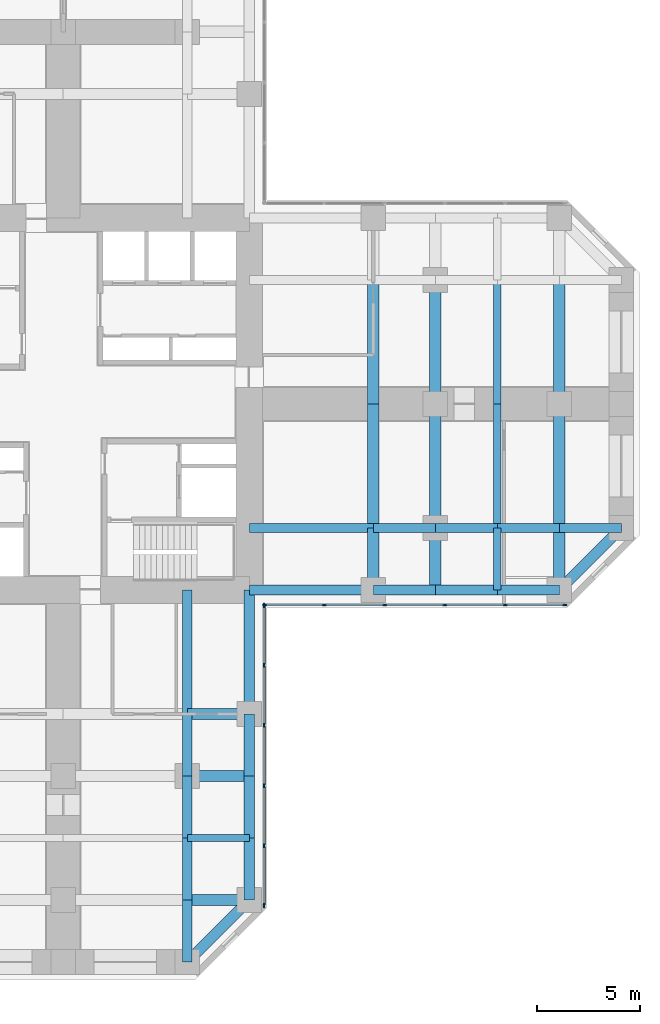
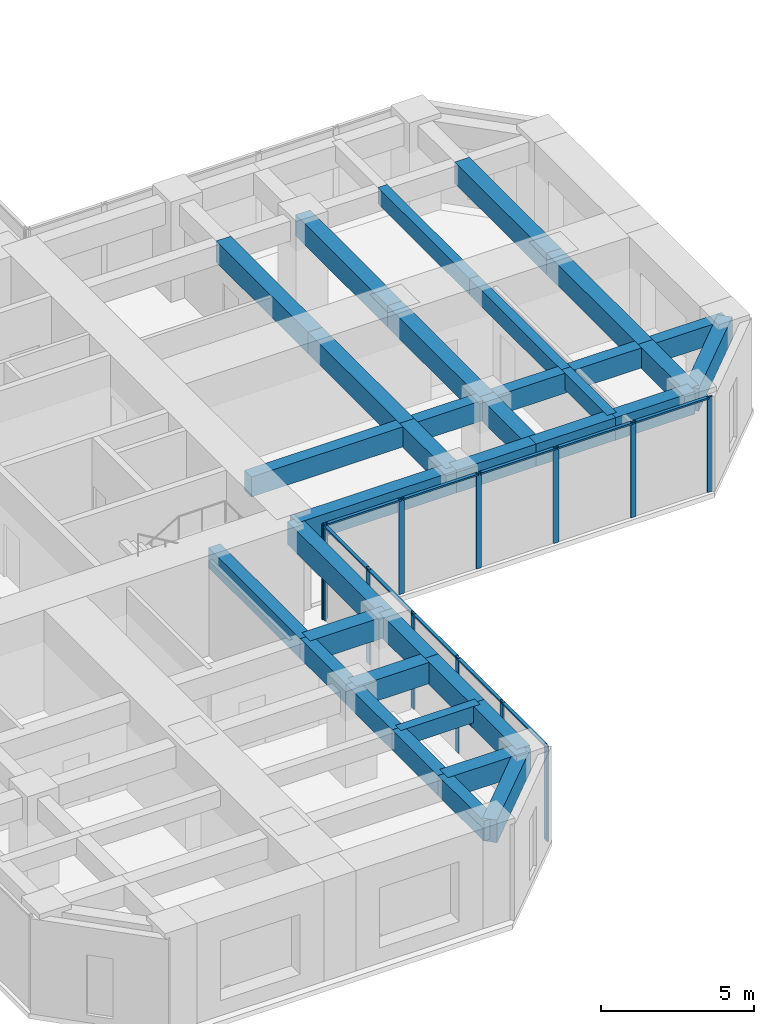
# One storey, part 4 of 12: 36 beams, 22 members, 2 elements without a shape of their own.
"""IFC4 building model written with IfcOpenShell, lengths in metres."""

from ifc_helpers import new_model, si_unit, direction, frame, origin, origin_2d, place, context, subcontext, project, spatial, rectangle, extrude, material, material_profile, profile_set, type_object, element, aggregate, save


model = new_model("IFC4")

# Units and contexts
model_context = context("Model", 3, precision=1e-05, world=origin(), true_north=direction((0.0, 1.0)))
body_context = subcontext(model_context, "Body", "Model", "MODEL_VIEW")
ifc_project = project(units=[si_unit("LENGTHUNIT", "METRE"), si_unit("AREAUNIT", "SQUARE_METRE"), si_unit("VOLUMEUNIT", "CUBIC_METRE"), si_unit("PLANEANGLEUNIT", "RADIAN"), si_unit("MASSUNIT", "GRAM", prefix="KILO")], contexts=[model_context])

# Site, building, storey
site_placement = place(None, origin())
site = spatial("IfcSite", under=ifc_project, at=site_placement, CompositionType="ELEMENT")
building_placement = place(site_placement, origin())
building = spatial("IfcBuilding", under=site, at=building_placement, Name="Torre Cruceta", CompositionType="ELEMENT")
storey_placement = place(building_placement, frame((0.0, 0.0, 35.5)))
storey = spatial("IfcBuildingStorey", under=building, at=storey_placement, Name="L08", CompositionType="ELEMENT", Elevation=35.5)

# Beams
ifc_material_1 = material(Name="Concrete G60 (fck 60 MPa)", Category="concrete")
ifc_material_profile_1 = material_profile(ifc_material_1, rectangle(XDim=0.449951171875, YDim=0.800048828125, at=origin_2d()), Name="RC 450X800")
ifc_profile_set_1 = profile_set([ifc_material_profile_1], Name="Concrete G60 (fck 60 MPa)")
beam_type_1 = type_object("IfcBeamType", Name="COLUMN LINE BEAM RC 450X800", PredefinedType="BEAM", material=ifc_profile_set_1)
beam_1_placement = place(storey_placement, frame((9.0, -6.0, 3.39990234375), z_axis=(1.0, 0.0, 0.0), x_axis=(0.0, 1.0, 0.0)))
element("IfcBeam", 1, at=beam_1_placement, inside=storey, type_object=beam_type_1, Name="LB1 L08 E col- 1", PredefinedType="BEAM", context=body_context, shape_type="SweptSolid", body=[
    extrude(rectangle(XDim=0.449951171875, YDim=0.800048828125, at=origin_2d()), origin(), (0.0, 0.0, 1.0), 6.0),
])
for number, where, z_axis, x_axis, name in (
    (2, (15.0, -6.0, 3.39990234375), (1.0, 0.0, 0.0), (0.0, 1.0, 0.0), "LB1 L08 E col- 2"),
    (3, (18.0, -6.0, 3.39990234375), (1.0, 0.0, 0.0), (0.0, 1.0, 0.0), "LB1 L08 E col- 3"),
    (4, (21.0, -6.0, 3.39990234375), (1.0, 0.0, 0.0), (0.0, 1.0, 0.0), "LB1 L08 E col- 4"),
    (5, (24.0, -6.0, 3.39990234375), (1.0, 0.0, 0.0), (0.0, 1.0, 0.0), "LB1 L08 E col- 5"),
):
    element("IfcBeam", number, at=place(storey_placement, frame(where, z_axis=z_axis, x_axis=x_axis)), inside=storey, type_object=beam_type_1, Name=name, PredefinedType="BEAM", context=body_context, shape_type="SweptSolid", body=[
        extrude(rectangle(XDim=0.449951171875, YDim=0.800048828125, at=origin_2d()), origin(), (0.0, 0.0, 1.0), 3.0),
    ])
beam_2_placement = place(storey_placement, frame((6.0, -9.0, 3.39990234375), z_axis=(0.0, -1.0, 0.0), x_axis=(1.0, 0.0, 0.0)))
element("IfcBeam", 6, at=beam_2_placement, inside=storey, type_object=beam_type_1, Name="LB1 L08 S col+ 1", PredefinedType="BEAM", context=body_context, shape_type="SweptSolid", body=[
    extrude(rectangle(XDim=0.449951171875, YDim=0.800048828125, at=origin_2d()), origin(), (0.0, 0.0, 1.0), 6.0),
])
for number, where, z_axis, x_axis, name in (
    (7, (6.0, -15.0, 3.39990234375), (0.0, -1.0, 0.0), (1.0, 0.0, 0.0), "LB1 L08 S col+ 2"),
    (8, (6.0, -18.0, 3.39990234375), (0.0, -1.0, 0.0), (1.0, 0.0, 0.0), "LB1 L08 S col+ 3"),
    (9, (6.0, -21.0, 3.39990234375), (0.0, -1.0, 0.0), (1.0, 0.0, 0.0), "LB1 L08 S col+ 4"),
    (10, (6.0, -24.0, 3.39990234375), (0.0, -1.0, 0.0), (1.0, 0.0, 0.0), "LB1 L08 S col+ 5"),
):
    element("IfcBeam", number, at=place(storey_placement, frame(where, z_axis=z_axis, x_axis=x_axis)), inside=storey, type_object=beam_type_1, Name=name, PredefinedType="BEAM", context=body_context, shape_type="SweptSolid", body=[
        extrude(rectangle(XDim=0.449951171875, YDim=0.800048828125, at=origin_2d()), origin(), (0.0, 0.0, 1.0), 3.0),
    ])
ifc_material_2 = material(Name="Concrete G60 (fck 60 MPa)", Category="concrete")
ifc_material_profile_2 = material_profile(ifc_material_2, rectangle(XDim=0.550048828125, YDim=0.85009765625, at=origin_2d()), Name="RC 550X850")
ifc_profile_set_2 = profile_set([ifc_material_profile_2], Name="Concrete G60 (fck 60 MPa)")
beam_type_2 = type_object("IfcBeamType", Name="CROSS BEAM RC 550X850", PredefinedType="BEAM", material=ifc_profile_set_2)
beam_3_placement = place(storey_placement, frame((15.0, -9.0, 3.375), z_axis=(0.0, 1.0, 0.0), x_axis=(-1.0, 0.0, 0.0)))
element("IfcBeam", 11, at=beam_3_placement, inside=storey, type_object=beam_type_2, Name="GB4 L08 E cross15 1", PredefinedType="BEAM", context=body_context, shape_type="SweptSolid", body=[
    extrude(rectangle(XDim=0.550048828125, YDim=0.85009765625, at=origin_2d()), origin(), (0.0, 0.0, 1.0), 3.0),
])
for number, where, z_axis, x_axis, name in (
    (12, (15.0, -6.0, 3.375), (0.0, 1.0, 0.0), (-1.0, 0.0, 0.0), "GB4 L08 E cross15 2"),
    (13, (15.0, 0.0, 3.375), (0.0, 1.0, 0.0), (-1.0, 0.0, 0.0), "GB4 L08 E cross15 3"),
):
    element("IfcBeam", number, at=place(storey_placement, frame(where, z_axis=z_axis, x_axis=x_axis)), inside=storey, type_object=beam_type_2, Name=name, PredefinedType="BEAM", context=body_context, shape_type="SweptSolid", body=[
        extrude(rectangle(XDim=0.550048828125, YDim=0.85009765625, at=origin_2d()), origin(), (0.0, 0.0, 1.0), 6.0),
    ])
beam_4_placement = place(storey_placement, frame((18.0, -9.0, 3.375), z_axis=(0.0, 1.0, 0.0), x_axis=(-1.0, 0.0, 0.0)))
element("IfcBeam", 14, at=beam_4_placement, inside=storey, type_object=beam_type_2, Name="GB4 L08 E cross18 1", PredefinedType="BEAM", context=body_context, shape_type="SweptSolid", body=[
    extrude(rectangle(XDim=0.550048828125, YDim=0.85009765625, at=origin_2d()), origin(), (0.0, 0.0, 1.0), 3.0),
])
for number, where, z_axis, x_axis, name in (
    (15, (18.0, -6.0, 3.375), (0.0, 1.0, 0.0), (-1.0, 0.0, 0.0), "GB4 L08 E cross18 2"),
    (16, (18.0, 0.0, 3.375), (0.0, 1.0, 0.0), (-1.0, 0.0, 0.0), "GB4 L08 E cross18 3"),
):
    element("IfcBeam", number, at=place(storey_placement, frame(where, z_axis=z_axis, x_axis=x_axis)), inside=storey, type_object=beam_type_2, Name=name, PredefinedType="BEAM", context=body_context, shape_type="SweptSolid", body=[
        extrude(rectangle(XDim=0.550048828125, YDim=0.85009765625, at=origin_2d()), origin(), (0.0, 0.0, 1.0), 6.0),
    ])
beam_5_placement = place(storey_placement, frame((24.0, -9.0, 3.375), z_axis=(0.0, 1.0, 0.0), x_axis=(-1.0, 0.0, 0.0)))
element("IfcBeam", 17, at=beam_5_placement, inside=storey, type_object=beam_type_2, Name="GB4 L08 E cross24 1", PredefinedType="BEAM", context=body_context, shape_type="SweptSolid", body=[
    extrude(rectangle(XDim=0.550048828125, YDim=0.85009765625, at=origin_2d()), origin(), (0.0, 0.0, 1.0), 3.0),
])
for number, where, z_axis, x_axis, name in (
    (18, (24.0, -6.0, 3.375), (0.0, 1.0, 0.0), (-1.0, 0.0, 0.0), "GB4 L08 E cross24 2"),
    (19, (24.0, 0.0, 3.375), (0.0, 1.0, 0.0), (-1.0, 0.0, 0.0), "GB4 L08 E cross24 3"),
):
    element("IfcBeam", number, at=place(storey_placement, frame(where, z_axis=z_axis, x_axis=x_axis)), inside=storey, type_object=beam_type_2, Name=name, PredefinedType="BEAM", context=body_context, shape_type="SweptSolid", body=[
        extrude(rectangle(XDim=0.550048828125, YDim=0.85009765625, at=origin_2d()), origin(), (0.0, 0.0, 1.0), 6.0),
    ])
for number, where, z_axis, x_axis, name in (
    (20, (6.0, -15.0, 3.375), (1.0, 0.0, 0.0), (0.0, 1.0, 0.0), "GB4 L08 S cross15 4"),
    (21, (6.0, -18.0, 3.375), (1.0, 0.0, 0.0), (0.0, 1.0, 0.0), "GB4 L08 S cross18 4"),
    (22, (6.0, -24.0, 3.375), (1.0, 0.0, 0.0), (0.0, 1.0, 0.0), "GB4 L08 S cross24 4"),
):
    element("IfcBeam", number, at=place(storey_placement, frame(where, z_axis=z_axis, x_axis=x_axis)), inside=storey, type_object=beam_type_2, Name=name, PredefinedType="BEAM", context=body_context, shape_type="SweptSolid", body=[
        extrude(rectangle(XDim=0.550048828125, YDim=0.85009765625, at=origin_2d()), origin(), (0.0, 0.0, 1.0), 3.0),
    ])

# Curtain wall, members
ifc_material_3 = material(Name="Aluminium unitised curtain wall", Category="aluminium")
curtain_wall_type = type_object("IfcCurtainWallType", Name="CURTAIN WALL CW-A OFFICE LOW RISE", PredefinedType="USERDEFINED", material=ifc_material_3)
curtain_wall_1_placement = place(storey_placement, origin())
curtain_wall_1 = element("IfcCurtainWall", 23, at=curtain_wall_1_placement, inside=storey, type_object=curtain_wall_type, Name="CW-A L08 E side 00", ObjectType="UNITISED", PredefinedType="USERDEFINED")
ifc_material_4 = material(Name="Aluminium mullion", Category="aluminium")
ifc_material_profile_3 = material_profile(ifc_material_4, rectangle(XDim=0.06494140625, YDim=0.199951171875, at=origin_2d()), Name="AL 65X200")
ifc_profile_set_3 = profile_set([ifc_material_profile_3], Name="Aluminium mullion")
member_type_1 = type_object("IfcMemberType", Name="CW-A MULLION 65X200", PredefinedType="MULLION", material=ifc_profile_set_3)
member_1_placement = place(storey_placement, frame((9.75244140625, -9.719970703125, 0.0), z_axis=(0.0, 0.0, 1.0), x_axis=(0.0, 1.0, 0.0)))
member_1 = element("IfcMember", 24, at=member_1_placement, type_object=member_type_1, Name="CW-A mullion 1", PredefinedType="MULLION", context=body_context, shape_type="SweptSolid", body=[
    extrude(rectangle(XDim=0.06494140625, YDim=0.199951171875, at=origin_2d()), origin(), (0.0, 0.0, 1.0), 3.800048828125),
])
member_2_placement = place(storey_placement, frame((12.6357421875, -9.719970703125, 0.0), z_axis=(0.0, 0.0, 1.0), x_axis=(0.0, 1.0, 0.0)))
member_2 = element("IfcMember", 25, at=member_2_placement, type_object=member_type_1, Name="CW-A mullion 2", PredefinedType="MULLION", context=body_context, shape_type="SweptSolid", body=[
    extrude(rectangle(XDim=0.06494140625, YDim=0.199951171875, at=origin_2d()), origin(), (0.0, 0.0, 1.0), 3.800048828125),
])
member_3_placement = place(storey_placement, frame((15.55126953125, -9.719970703125, 0.0), z_axis=(0.0, 0.0, 1.0), x_axis=(0.0, 1.0, 0.0)))
member_3 = element("IfcMember", 26, at=member_3_placement, type_object=member_type_1, Name="CW-A mullion 3", PredefinedType="MULLION", context=body_context, shape_type="SweptSolid", body=[
    extrude(rectangle(XDim=0.06494140625, YDim=0.199951171875, at=origin_2d()), origin(), (0.0, 0.0, 1.0), 3.800048828125),
])
member_4_placement = place(storey_placement, frame((18.467041015625, -9.719970703125, 0.0), z_axis=(0.0, 0.0, 1.0), x_axis=(0.0, 1.0, 0.0)))
member_4 = element("IfcMember", 27, at=member_4_placement, type_object=member_type_1, Name="CW-A mullion 4", PredefinedType="MULLION", context=body_context, shape_type="SweptSolid", body=[
    extrude(rectangle(XDim=0.06494140625, YDim=0.199951171875, at=origin_2d()), origin(), (0.0, 0.0, 1.0), 3.800048828125),
])
member_5_placement = place(storey_placement, frame((21.382568359375, -9.719970703125, 0.0), z_axis=(0.0, 0.0, 1.0), x_axis=(0.0, 1.0, 0.0)))
member_5 = element("IfcMember", 28, at=member_5_placement, type_object=member_type_1, Name="CW-A mullion 5", PredefinedType="MULLION", context=body_context, shape_type="SweptSolid", body=[
    extrude(rectangle(XDim=0.06494140625, YDim=0.199951171875, at=origin_2d()), origin(), (0.0, 0.0, 1.0), 3.800048828125),
])
member_6_placement = place(storey_placement, frame((24.265625, -9.719970703125, 0.0), z_axis=(0.0, 0.0, 1.0), x_axis=(0.0, 1.0, 0.0)))
member_6 = element("IfcMember", 29, at=member_6_placement, type_object=member_type_1, Name="CW-A mullion 6", PredefinedType="MULLION", context=body_context, shape_type="SweptSolid", body=[
    extrude(rectangle(XDim=0.06494140625, YDim=0.199951171875, at=origin_2d()), origin(), (0.0, 0.0, 1.0), 3.800048828125),
])

curtain_wall_2_placement = place(storey_placement, origin())
curtain_wall_2 = element("IfcCurtainWall", 30, at=curtain_wall_2_placement, inside=storey, type_object=curtain_wall_type, Name="CW-A L08 S side 19", ObjectType="UNITISED", PredefinedType="USERDEFINED")
member_7_placement = place(storey_placement, frame((9.719970703125, -24.265625, 0.0), z_axis=(0.0, 0.0, 1.0), x_axis=(-1.0, 0.0, 0.0)))
member_7 = element("IfcMember", 31, at=member_7_placement, type_object=member_type_1, Name="CW-A mullion 1", PredefinedType="MULLION", context=body_context, shape_type="SweptSolid", body=[
    extrude(rectangle(XDim=0.06494140625, YDim=0.199951171875, at=origin_2d()), origin(), (0.0, 0.0, 1.0), 3.800048828125),
])
member_8_placement = place(storey_placement, frame((9.719970703125, -21.382568359375, 0.0), z_axis=(0.0, 0.0, 1.0), x_axis=(-1.0, 0.0, 0.0)))
member_8 = element("IfcMember", 32, at=member_8_placement, type_object=member_type_1, Name="CW-A mullion 2", PredefinedType="MULLION", context=body_context, shape_type="SweptSolid", body=[
    extrude(rectangle(XDim=0.06494140625, YDim=0.199951171875, at=origin_2d()), origin(), (0.0, 0.0, 1.0), 3.800048828125),
])
member_9_placement = place(storey_placement, frame((9.719970703125, -18.467041015625, 0.0), z_axis=(0.0, 0.0, 1.0), x_axis=(-1.0, 0.0, 0.0)))
member_9 = element("IfcMember", 33, at=member_9_placement, type_object=member_type_1, Name="CW-A mullion 3", PredefinedType="MULLION", context=body_context, shape_type="SweptSolid", body=[
    extrude(rectangle(XDim=0.06494140625, YDim=0.199951171875, at=origin_2d()), origin(), (0.0, 0.0, 1.0), 3.800048828125),
])
member_10_placement = place(storey_placement, frame((9.719970703125, -15.55126953125, 0.0), z_axis=(0.0, 0.0, 1.0), x_axis=(-1.0, 0.0, 0.0)))
member_10 = element("IfcMember", 34, at=member_10_placement, type_object=member_type_1, Name="CW-A mullion 4", PredefinedType="MULLION", context=body_context, shape_type="SweptSolid", body=[
    extrude(rectangle(XDim=0.06494140625, YDim=0.199951171875, at=origin_2d()), origin(), (0.0, 0.0, 1.0), 3.800048828125),
])
member_11_placement = place(storey_placement, frame((9.719970703125, -12.6357421875, 0.0), z_axis=(0.0, 0.0, 1.0), x_axis=(-1.0, 0.0, 0.0)))
member_11 = element("IfcMember", 35, at=member_11_placement, type_object=member_type_1, Name="CW-A mullion 5", PredefinedType="MULLION", context=body_context, shape_type="SweptSolid", body=[
    extrude(rectangle(XDim=0.06494140625, YDim=0.199951171875, at=origin_2d()), origin(), (0.0, 0.0, 1.0), 3.800048828125),
])
member_12_placement = place(storey_placement, frame((9.719970703125, -9.75244140625, 0.0), z_axis=(0.0, 0.0, 1.0), x_axis=(-1.0, 0.0, 0.0)))
member_12 = element("IfcMember", 36, at=member_12_placement, type_object=member_type_1, Name="CW-A mullion 6", PredefinedType="MULLION", context=body_context, shape_type="SweptSolid", body=[
    extrude(rectangle(XDim=0.06494140625, YDim=0.199951171875, at=origin_2d()), origin(), (0.0, 0.0, 1.0), 3.800048828125),
])

# Member
ifc_material_5 = material(Name="Aluminium transom", Category="aluminium")
ifc_material_profile_4 = material_profile(ifc_material_5, rectangle(XDim=0.1201171875, YDim=0.06494140625, at=origin_2d()), Name="AL 120X65")
ifc_profile_set_4 = profile_set([ifc_material_profile_4], Name="Aluminium transom")
member_type_2 = type_object("IfcMemberType", Name="CW-A TRANSOM 65X120", PredefinedType="USERDEFINED", material=ifc_profile_set_4)
member_13_placement = place(storey_placement, frame((9.784912109375, -9.719970703125, 3.767578125), z_axis=(1.0, 0.0, 0.0), x_axis=(0.0, 1.0, 0.0)))
member_13 = element("IfcMember", 37, at=member_13_placement, type_object=member_type_2, Name="CW-A transom 1", ObjectType="TRANSOM", PredefinedType="USERDEFINED", context=body_context, shape_type="SweptSolid", body=[
    extrude(rectangle(XDim=0.1201171875, YDim=0.06494140625, at=origin_2d()), origin(), (0.0, 0.0, 1.0), 2.818115234375),
])

member_14_placement = place(storey_placement, frame((12.668212890625, -9.719970703125, 3.767578125), z_axis=(1.0, 0.0, 0.0), x_axis=(0.0, 1.0, 0.0)))
member_14 = element("IfcMember", 38, at=member_14_placement, type_object=member_type_2, Name="CW-A transom 2", ObjectType="TRANSOM", PredefinedType="USERDEFINED", context=body_context, shape_type="SweptSolid", body=[
    extrude(rectangle(XDim=0.1201171875, YDim=0.06494140625, at=origin_2d()), origin(), (0.0, 0.0, 1.0), 2.8505859375),
])

member_15_placement = place(storey_placement, frame((15.583740234375, -9.719970703125, 3.767578125), z_axis=(1.0, 0.0, 0.0), x_axis=(0.0, 1.0, 0.0)))
member_15 = element("IfcMember", 39, at=member_15_placement, type_object=member_type_2, Name="CW-A transom 3", ObjectType="TRANSOM", PredefinedType="USERDEFINED", context=body_context, shape_type="SweptSolid", body=[
    extrude(rectangle(XDim=0.1201171875, YDim=0.06494140625, at=origin_2d()), origin(), (0.0, 0.0, 1.0), 2.8505859375),
])

member_16_placement = place(storey_placement, frame((18.49951171875, -9.719970703125, 3.767578125), z_axis=(1.0, 0.0, 0.0), x_axis=(0.0, 1.0, 0.0)))
member_16 = element("IfcMember", 40, at=member_16_placement, type_object=member_type_2, Name="CW-A transom 4", ObjectType="TRANSOM", PredefinedType="USERDEFINED", context=body_context, shape_type="SweptSolid", body=[
    extrude(rectangle(XDim=0.1201171875, YDim=0.06494140625, at=origin_2d()), origin(), (0.0, 0.0, 1.0), 2.8505859375),
])

member_17_placement = place(storey_placement, frame((21.4150390625, -9.719970703125, 3.767578125), z_axis=(1.0, 0.0, 0.0), x_axis=(0.0, 1.0, 0.0)))
member_17 = element("IfcMember", 41, at=member_17_placement, type_object=member_type_2, Name="CW-A transom 5", ObjectType="TRANSOM", PredefinedType="USERDEFINED", context=body_context, shape_type="SweptSolid", body=[
    extrude(rectangle(XDim=0.1201171875, YDim=0.06494140625, at=origin_2d()), origin(), (0.0, 0.0, 1.0), 2.818115234375),
])

aggregate(curtain_wall_1, [member_1, member_2, member_3, member_4, member_5, member_6, member_13, member_14, member_15, member_16, member_17])

member_18_placement = place(storey_placement, frame((9.719970703125, -24.233154296875, 3.767578125), z_axis=(0.0, 1.0, 0.0), x_axis=(-1.0, 0.0, 0.0)))
member_18 = element("IfcMember", 42, at=member_18_placement, type_object=member_type_2, Name="CW-A transom 1", ObjectType="TRANSOM", PredefinedType="USERDEFINED", context=body_context, shape_type="SweptSolid", body=[
    extrude(rectangle(XDim=0.1201171875, YDim=0.06494140625, at=origin_2d()), origin(), (0.0, 0.0, 1.0), 2.818115234375),
])

member_19_placement = place(storey_placement, frame((9.719970703125, -21.35009765625, 3.767578125), z_axis=(0.0, 1.0, 0.0), x_axis=(-1.0, 0.0, 0.0)))
member_19 = element("IfcMember", 43, at=member_19_placement, type_object=member_type_2, Name="CW-A transom 2", ObjectType="TRANSOM", PredefinedType="USERDEFINED", context=body_context, shape_type="SweptSolid", body=[
    extrude(rectangle(XDim=0.1201171875, YDim=0.06494140625, at=origin_2d()), origin(), (0.0, 0.0, 1.0), 2.8505859375),
])

member_20_placement = place(storey_placement, frame((9.719970703125, -18.434326171875, 3.767578125), z_axis=(0.0, 1.0, 0.0), x_axis=(-1.0, 0.0, 0.0)))
member_20 = element("IfcMember", 44, at=member_20_placement, type_object=member_type_2, Name="CW-A transom 3", ObjectType="TRANSOM", PredefinedType="USERDEFINED", context=body_context, shape_type="SweptSolid", body=[
    extrude(rectangle(XDim=0.1201171875, YDim=0.06494140625, at=origin_2d()), origin(), (0.0, 0.0, 1.0), 2.8505859375),
])

member_21_placement = place(storey_placement, frame((9.719970703125, -15.518798828125, 3.767578125), z_axis=(0.0, 1.0, 0.0), x_axis=(-1.0, 0.0, 0.0)))
member_21 = element("IfcMember", 45, at=member_21_placement, type_object=member_type_2, Name="CW-A transom 4", ObjectType="TRANSOM", PredefinedType="USERDEFINED", context=body_context, shape_type="SweptSolid", body=[
    extrude(rectangle(XDim=0.1201171875, YDim=0.06494140625, at=origin_2d()), origin(), (0.0, 0.0, 1.0), 2.8505859375),
])

member_22_placement = place(storey_placement, frame((9.719970703125, -12.60302734375, 3.767578125), z_axis=(0.0, 1.0, 0.0), x_axis=(-1.0, 0.0, 0.0)))
member_22 = element("IfcMember", 46, at=member_22_placement, type_object=member_type_2, Name="CW-A transom 5", ObjectType="TRANSOM", PredefinedType="USERDEFINED", context=body_context, shape_type="SweptSolid", body=[
    extrude(rectangle(XDim=0.1201171875, YDim=0.06494140625, at=origin_2d()), origin(), (0.0, 0.0, 1.0), 2.818115234375),
])

aggregate(curtain_wall_2, [member_7, member_8, member_9, member_10, member_11, member_12, member_18, member_19, member_20, member_21, member_22])

# Beams
ifc_material_6 = material(Name="Concrete G60 (fck 60 MPa)", Category="concrete")
ifc_material_profile_5 = material_profile(ifc_material_6, rectangle(XDim=0.35009765625, YDim=0.64990234375, at=origin_2d()), Name="RC 350X650")
ifc_profile_set_5 = profile_set([ifc_material_profile_5], Name="Concrete G60 (fck 60 MPa)")
beam_type_3 = type_object("IfcBeamType", Name="SECONDARY BEAM RC 350X650", PredefinedType="JOIST", material=ifc_profile_set_5)
beam_6_placement = place(storey_placement, frame((21.0, -9.0, 3.47509765625), z_axis=(0.0, 1.0, 0.0), x_axis=(-1.0, 0.0, 0.0)))
element("IfcBeam", 47, at=beam_6_placement, inside=storey, type_object=beam_type_3, Name="JB3 L08 E sec21 1", PredefinedType="JOIST", context=body_context, shape_type="SweptSolid", body=[
    extrude(rectangle(XDim=0.35009765625, YDim=0.64990234375, at=origin_2d()), origin(), (0.0, 0.0, 1.0), 3.0),
])
for number, where, z_axis, x_axis, name in (
    (48, (21.0, -6.0, 3.47509765625), (0.0, 1.0, 0.0), (-1.0, 0.0, 0.0), "JB3 L08 E sec21 2"),
    (49, (21.0, 0.0, 3.47509765625), (0.0, 1.0, 0.0), (-1.0, 0.0, 0.0), "JB3 L08 E sec21 3"),
):
    element("IfcBeam", number, at=place(storey_placement, frame(where, z_axis=z_axis, x_axis=x_axis)), inside=storey, type_object=beam_type_3, Name=name, PredefinedType="JOIST", context=body_context, shape_type="SweptSolid", body=[
        extrude(rectangle(XDim=0.35009765625, YDim=0.64990234375, at=origin_2d()), origin(), (0.0, 0.0, 1.0), 6.0),
    ])
beam_7_placement = place(storey_placement, frame((6.0, -21.0, 3.47509765625), z_axis=(1.0, 0.0, 0.0), x_axis=(0.0, 1.0, 0.0)))
element("IfcBeam", 50, at=beam_7_placement, inside=storey, type_object=beam_type_3, Name="JB3 L08 S sec21 4", PredefinedType="JOIST", context=body_context, shape_type="SweptSolid", body=[
    extrude(rectangle(XDim=0.35009765625, YDim=0.64990234375, at=origin_2d()), origin(), (0.0, 0.0, 1.0), 3.0),
])
ifc_material_7 = material(Name="Concrete G60 (fck 60 MPa)", Category="concrete")
ifc_material_profile_6 = material_profile(ifc_material_7, rectangle(XDim=0.5, YDim=0.89990234375, at=origin_2d()), Name="RC 500X900")
ifc_profile_set_6 = profile_set([ifc_material_profile_6], Name="Concrete G60 (fck 60 MPa)")
beam_type_4 = type_object("IfcBeamType", Name="SPANDREL BEAM RC 500X900", PredefinedType="SPANDREL", material=ifc_profile_set_6)
beam_8_placement = place(storey_placement, frame((9.0, -9.0, 3.35009765625), z_axis=(1.0, 0.0, 0.0), x_axis=(0.0, 1.0, 0.0)))
element("IfcBeam", 51, at=beam_8_placement, inside=storey, type_object=beam_type_4, Name="SB4 L08 E side- 1", PredefinedType="SPANDREL", context=body_context, shape_type="SweptSolid", body=[
    extrude(rectangle(XDim=0.5, YDim=0.89990234375, at=origin_2d()), origin(), (0.0, 0.0, 1.0), 6.0),
])
for number, where, z_axis, x_axis, name in (
    (52, (15.0, -9.0, 3.35009765625), (1.0, 0.0, 0.0), (0.0, 1.0, 0.0), "SB4 L08 E side- 2"),
    (53, (18.0, -9.0, 3.35009765625), (1.0, 0.0, 0.0), (0.0, 1.0, 0.0), "SB4 L08 E side- 3"),
    (54, (21.0, -9.0, 3.35009765625), (1.0, 0.0, 0.0), (0.0, 1.0, 0.0), "SB4 L08 E side- 4"),
):
    element("IfcBeam", number, at=place(storey_placement, frame(where, z_axis=z_axis, x_axis=x_axis)), inside=storey, type_object=beam_type_4, Name=name, PredefinedType="SPANDREL", context=body_context, shape_type="SweptSolid", body=[
        extrude(rectangle(XDim=0.5, YDim=0.89990234375, at=origin_2d()), origin(), (0.0, 0.0, 1.0), 3.0),
    ])
beam_9_placement = place(storey_placement, frame((24.0, -9.0, 3.35009765625), z_axis=(0.707106781187, 0.707106781187, 0.0), x_axis=(-0.707106781187, 0.707106781187, 0.0)))
element("IfcBeam", 55, at=beam_9_placement, inside=storey, type_object=beam_type_4, Name="SB4 L08 E side- 5", PredefinedType="SPANDREL", context=body_context, shape_type="SweptSolid", body=[
    extrude(rectangle(XDim=0.5, YDim=0.89990234375, at=origin_2d()), origin(), (0.0, 0.0, 1.0), 4.24267578125),
])
beam_10_placement = place(storey_placement, frame((9.0, -9.0, 3.35009765625), z_axis=(0.0, -1.0, 0.0), x_axis=(1.0, 0.0, 0.0)))
element("IfcBeam", 56, at=beam_10_placement, inside=storey, type_object=beam_type_4, Name="SB4 L08 S side+ 1", PredefinedType="SPANDREL", context=body_context, shape_type="SweptSolid", body=[
    extrude(rectangle(XDim=0.5, YDim=0.89990234375, at=origin_2d()), origin(), (0.0, 0.0, 1.0), 6.0),
])
for number, where, z_axis, x_axis, name in (
    (57, (9.0, -15.0, 3.35009765625), (0.0, -1.0, 0.0), (1.0, 0.0, 0.0), "SB4 L08 S side+ 2"),
    (58, (9.0, -18.0, 3.35009765625), (0.0, -1.0, 0.0), (1.0, 0.0, 0.0), "SB4 L08 S side+ 3"),
    (59, (9.0, -21.0, 3.35009765625), (0.0, -1.0, 0.0), (1.0, 0.0, 0.0), "SB4 L08 S side+ 4"),
):
    element("IfcBeam", number, at=place(storey_placement, frame(where, z_axis=z_axis, x_axis=x_axis)), inside=storey, type_object=beam_type_4, Name=name, PredefinedType="SPANDREL", context=body_context, shape_type="SweptSolid", body=[
        extrude(rectangle(XDim=0.5, YDim=0.89990234375, at=origin_2d()), origin(), (0.0, 0.0, 1.0), 3.0),
    ])
beam_11_placement = place(storey_placement, frame((9.0, -24.0, 3.35009765625), z_axis=(-0.707106781187, -0.707106781187, 0.0), x_axis=(0.707106781187, -0.707106781187, 0.0)))
element("IfcBeam", 60, at=beam_11_placement, inside=storey, type_object=beam_type_4, Name="SB4 L08 S side+ 5", PredefinedType="SPANDREL", context=body_context, shape_type="SweptSolid", body=[
    extrude(rectangle(XDim=0.5, YDim=0.89990234375, at=origin_2d()), origin(), (0.0, 0.0, 1.0), 4.24267578125),
])

save(model, "model.ifc")
